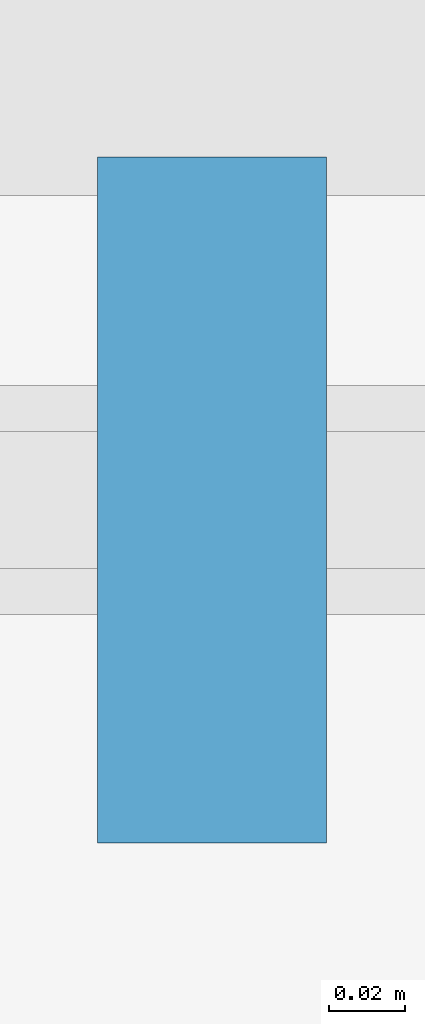
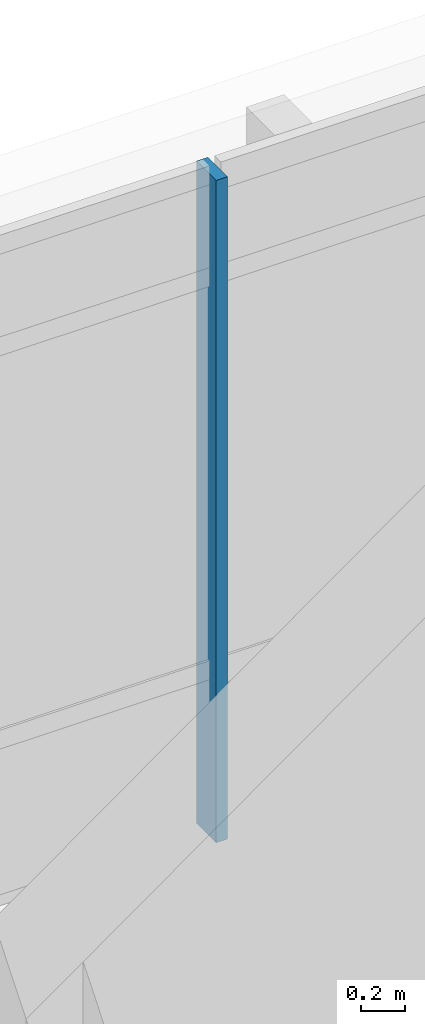
# One storey, part 11 of 40: 1 member, 1 element without a shape of its own.
"""IFC4 building model written with IfcOpenShell, lengths in metres."""

from ifc_helpers import new_model, si_unit, direction, frame, origin, origin_2d, place, context, subcontext, project, spatial, rectangle, extrude, material, material_profile, profile_set, type_object, element, aggregate, save


model = new_model("IFC4")

# Units and contexts
model_context = context("Model", 3, precision=1e-05, world=origin(), true_north=direction((0.0, 1.0)))
body_context = subcontext(model_context, "Body", "Model", "MODEL_VIEW")
ifc_project = project(units=[si_unit("LENGTHUNIT", "METRE"), si_unit("AREAUNIT", "SQUARE_METRE"), si_unit("VOLUMEUNIT", "CUBIC_METRE"), si_unit("PLANEANGLEUNIT", "RADIAN"), si_unit("MASSUNIT", "GRAM", prefix="KILO")], contexts=[model_context])

# Site, building, storey
site_placement = place(None, origin())
site = spatial("IfcSite", under=ifc_project, at=site_placement, CompositionType="ELEMENT")
building_placement = place(site_placement, origin())
building = spatial("IfcBuilding", under=site, at=building_placement, Name="Cymarion Research Institute", CompositionType="ELEMENT")
storey_placement = place(building_placement, frame((0.0, 0.0, 26.699951171875)))
storey = spatial("IfcBuildingStorey", under=building, at=storey_placement, Name="L06", CompositionType="ELEMENT", Elevation=26.699951171875)

# Curtain wall, member
ifc_material_1 = material(Name="Anodised aluminium unitised curtain wall with Low-E glazing", Category="aluminium")
curtain_wall_type = type_object("IfcCurtainWallType", Name="UNITISED CURTAIN WALL CW58 5150X3680", PredefinedType="NOTDEFINED", material=ifc_material_1)
curtain_wall_placement = place(storey_placement, origin())
curtain_wall = element("IfcCurtainWall", 1, at=curtain_wall_placement, inside=storey, type_object=curtain_wall_type, Name="L06 V4 unitised curtain wall CW58 #218", PredefinedType="NOTDEFINED")
ifc_material_2 = material(Name="Anodised aluminium framing", Category="aluminium")
ifc_material_profile = material_profile(ifc_material_2, rectangle(XDim=0.06005859375, YDim=0.179931640625, at=origin_2d()), Name="ALU MULLION 60x180")
ifc_profile_set = profile_set([ifc_material_profile], Name="Anodised aluminium framing")
member_type = type_object("IfcMemberType", Name="CURTAIN WALL MULLION ML01 60X180", PredefinedType="MULLION", material=ifc_profile_set)
member_placement = place(storey_placement, frame((36.6220703125, 71.330078125, 0.0), z_axis=(0.0, 0.0, 1.0), x_axis=(-1.0, 0.0, 0.0)))
member = element("IfcMember", 2, at=member_placement, type_object=member_type, Name="CW58 mullion 2", PredefinedType="MULLION", context=body_context, shape_type="SweptSolid", body=[
    extrude(rectangle(XDim=0.06005859375, YDim=0.179931640625, at=origin_2d()), origin(), (0.0, 0.0, 1.0), 3.679931640625),
])
aggregate(curtain_wall, [member])

save(model, "model.ifc")
